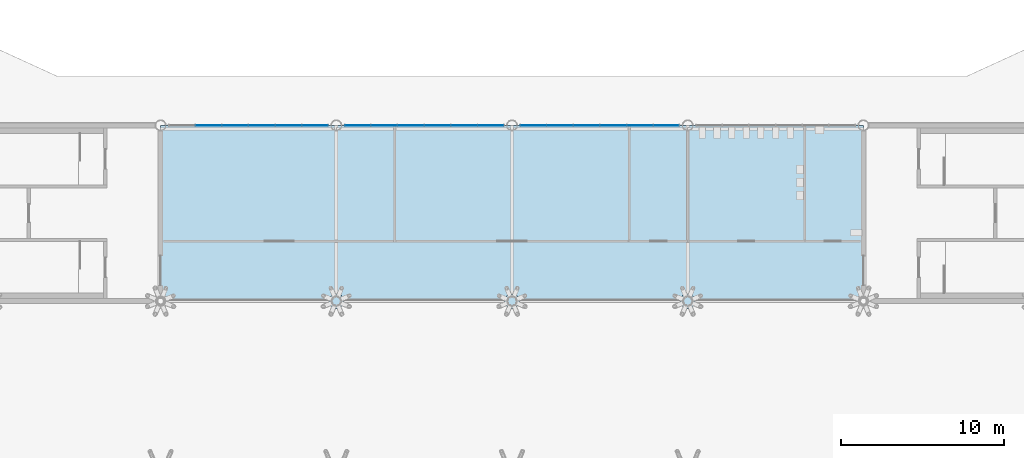
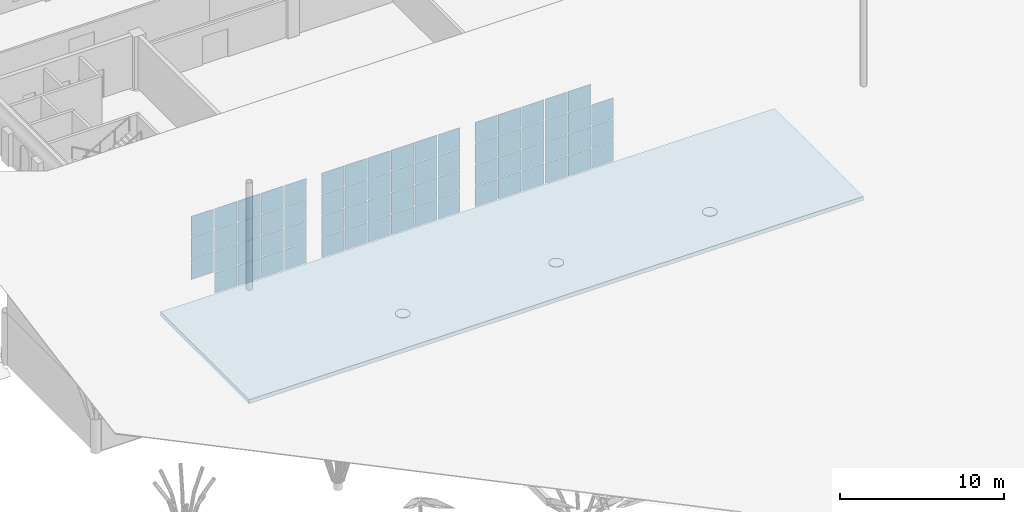
# One storey, part 30 of 56: 69 plates, 1 slab, 3 elements without a shape of their own.
"""IFC4 building model written with IfcOpenShell, lengths in metres."""

from ifc_helpers import new_model, si_unit, direction, frame, origin, origin_2d, place, context, subcontext, project, spatial, polyline, rectangle, circle, outline, extrude, material, layer, layer_set, material_profile, profile_set, type_object, element, aggregate, save


model = new_model("IFC4")

# Units and contexts
model_context = context("Model", 3, precision=1e-05, world=origin(), true_north=direction((0.0, 1.0)))
body_context = subcontext(model_context, "Body", "Model", "MODEL_VIEW")
ifc_project = project(units=[si_unit("LENGTHUNIT", "METRE"), si_unit("AREAUNIT", "SQUARE_METRE"), si_unit("VOLUMEUNIT", "CUBIC_METRE"), si_unit("PLANEANGLEUNIT", "RADIAN"), si_unit("MASSUNIT", "GRAM", prefix="KILO")], contexts=[model_context])

# Site, building, storey
site_placement = place(None, origin())
site = spatial("IfcSite", under=ifc_project, at=site_placement, CompositionType="ELEMENT")
building_placement = place(site_placement, origin())
building = spatial("IfcBuilding", under=site, at=building_placement, Name="Magnolia Steps Interchange", CompositionType="ELEMENT")
storey_placement = place(building_placement, frame((0.0, 0.0, 8.699951171875)))
storey = spatial("IfcBuildingStorey", under=building, at=storey_placement, Name="L02", CompositionType="ELEMENT", Elevation=8.699951171875)

# Slab
ifc_material_1 = material(Name="Concrete C40", Category="concrete")
ifc_layer_1 = layer(ifc_material_1, 0.300048828125)
ifc_layer_set_1 = layer_set([ifc_layer_1], Name="Floor slab 300")
slab_type = type_object("IfcSlabType", Name="Floor slab 300", PredefinedType="FLOOR", material=ifc_layer_set_1)
slab_placement = place(storey_placement, frame((0.0, 0.0, -0.300048828125)))
element("IfcSlab", 1, at=slab_placement, inside=storey, type_object=slab_type, Name="Hall upper gallery floor", PredefinedType="FLOOR", context=body_context, shape_type="SweptSolid", body=[
    extrude(outline(polyline([(107.199951171875, 74.800048828125), (107.199951171875, 85.60009765625), (64.0, 85.60009765625), (64.0, 74.800048828125), (107.199951171875, 74.800048828125)])), origin(), (0.0, 0.0, 1.0), 0.300048828125),
])

# Curtain wall, plates
ifc_material_2 = material(Name="Powder-coated aluminium and glass", Category="aluminium")
ifc_layer_2 = layer(ifc_material_2, 0.1201171875)
ifc_layer_set_2 = layer_set([ifc_layer_2], Name="Hall clerestory curtain wall")
curtain_wall_type = type_object("IfcCurtainWallType", Name="Hall clerestory curtain wall", PredefinedType="NOTDEFINED", material=ifc_layer_set_2)
curtain_wall_1_placement = place(storey_placement, origin())
curtain_wall_1 = element("IfcCurtainWall", 2, at=curtain_wall_1_placement, inside=storey, type_object=curtain_wall_type, Name="Hall clerestory N2", PredefinedType="NOTDEFINED")
ifc_material_3 = material(Name="Laminated glass", Category="glass")
ifc_layer_3 = layer(ifc_material_3, 0.028076171875)
ifc_layer_set_3 = layer_set([ifc_layer_3], Name="Glass panel 28")
plate_type_1 = type_object("IfcPlateType", Name="Glass panel 28", PredefinedType="CURTAIN_PANEL", material=ifc_layer_set_3)
plate_1_placement = place(storey_placement, frame((66.93994140625, 85.60009765625, 1.630126953125), z_axis=(0.0, 0.0, 1.0), x_axis=(1.0, 0.0, 0.0)))
plate_1 = element("IfcPlate", 3, at=plate_1_placement, type_object=plate_type_1, Name="CW6 panel 2.2", PredefinedType="CURTAIN_PANEL", context=body_context, shape_type="SweptSolid", body=[
    extrude(rectangle(XDim=1.580078125, YDim=0.028076171875, at=origin_2d()), origin(), (0.0, 0.0, 1.0), 1.5400390625),
])
plate_2_placement = place(storey_placement, frame((66.93994140625, 85.60009765625, 3.22998046875), z_axis=(0.0, 0.0, 1.0), x_axis=(1.0, 0.0, 0.0)))
plate_2 = element("IfcPlate", 4, at=plate_2_placement, type_object=plate_type_1, Name="CW6 panel 2.3", PredefinedType="CURTAIN_PANEL", context=body_context, shape_type="SweptSolid", body=[
    extrude(rectangle(XDim=1.580078125, YDim=0.028076171875, at=origin_2d()), origin(), (0.0, 0.0, 1.0), 1.5400390625),
])
plate_3_placement = place(storey_placement, frame((66.93994140625, 85.60009765625, 4.830078125), z_axis=(0.0, 0.0, 1.0), x_axis=(1.0, 0.0, 0.0)))
plate_3 = element("IfcPlate", 5, at=plate_3_placement, type_object=plate_type_1, Name="CW6 panel 2.4", PredefinedType="CURTAIN_PANEL", context=body_context, shape_type="SweptSolid", body=[
    extrude(rectangle(XDim=1.580078125, YDim=0.028076171875, at=origin_2d()), origin(), (0.0, 0.0, 1.0), 1.510009765625),
])
plate_4_placement = place(storey_placement, frame((68.580078125, 85.60009765625, 0.06005859375), z_axis=(0.0, 0.0, 1.0), x_axis=(1.0, 0.0, 0.0)))
plate_4 = element("IfcPlate", 6, at=plate_4_placement, type_object=plate_type_1, Name="CW6 panel 3.1", PredefinedType="CURTAIN_PANEL", context=body_context, shape_type="SweptSolid", body=[
    extrude(rectangle(XDim=1.580078125, YDim=0.028076171875, at=origin_2d()), origin(), (0.0, 0.0, 1.0), 1.510009765625),
])
plate_5_placement = place(storey_placement, frame((68.580078125, 85.60009765625, 1.630126953125), z_axis=(0.0, 0.0, 1.0), x_axis=(1.0, 0.0, 0.0)))
plate_5 = element("IfcPlate", 7, at=plate_5_placement, type_object=plate_type_1, Name="CW6 panel 3.2", PredefinedType="CURTAIN_PANEL", context=body_context, shape_type="SweptSolid", body=[
    extrude(rectangle(XDim=1.580078125, YDim=0.028076171875, at=origin_2d()), origin(), (0.0, 0.0, 1.0), 1.5400390625),
])
plate_6_placement = place(storey_placement, frame((68.580078125, 85.60009765625, 3.22998046875), z_axis=(0.0, 0.0, 1.0), x_axis=(1.0, 0.0, 0.0)))
plate_6 = element("IfcPlate", 8, at=plate_6_placement, type_object=plate_type_1, Name="CW6 panel 3.3", PredefinedType="CURTAIN_PANEL", context=body_context, shape_type="SweptSolid", body=[
    extrude(rectangle(XDim=1.580078125, YDim=0.028076171875, at=origin_2d()), origin(), (0.0, 0.0, 1.0), 1.5400390625),
])
plate_7_placement = place(storey_placement, frame((68.580078125, 85.60009765625, 4.830078125), z_axis=(0.0, 0.0, 1.0), x_axis=(1.0, 0.0, 0.0)))
plate_7 = element("IfcPlate", 9, at=plate_7_placement, type_object=plate_type_1, Name="CW6 panel 3.4", PredefinedType="CURTAIN_PANEL", context=body_context, shape_type="SweptSolid", body=[
    extrude(rectangle(XDim=1.580078125, YDim=0.028076171875, at=origin_2d()), origin(), (0.0, 0.0, 1.0), 1.510009765625),
])
plate_8_placement = place(storey_placement, frame((70.219970703125, 85.60009765625, 0.06005859375), z_axis=(0.0, 0.0, 1.0), x_axis=(1.0, 0.0, 0.0)))
plate_8 = element("IfcPlate", 10, at=plate_8_placement, type_object=plate_type_1, Name="CW6 panel 4.1", PredefinedType="CURTAIN_PANEL", context=body_context, shape_type="SweptSolid", body=[
    extrude(rectangle(XDim=1.580078125, YDim=0.028076171875, at=origin_2d()), origin(), (0.0, 0.0, 1.0), 1.510009765625),
])
plate_9_placement = place(storey_placement, frame((70.219970703125, 85.60009765625, 1.630126953125), z_axis=(0.0, 0.0, 1.0), x_axis=(1.0, 0.0, 0.0)))
plate_9 = element("IfcPlate", 11, at=plate_9_placement, type_object=plate_type_1, Name="CW6 panel 4.2", PredefinedType="CURTAIN_PANEL", context=body_context, shape_type="SweptSolid", body=[
    extrude(rectangle(XDim=1.580078125, YDim=0.028076171875, at=origin_2d()), origin(), (0.0, 0.0, 1.0), 1.5400390625),
])
plate_10_placement = place(storey_placement, frame((70.219970703125, 85.60009765625, 3.22998046875), z_axis=(0.0, 0.0, 1.0), x_axis=(1.0, 0.0, 0.0)))
plate_10 = element("IfcPlate", 12, at=plate_10_placement, type_object=plate_type_1, Name="CW6 panel 4.3", PredefinedType="CURTAIN_PANEL", context=body_context, shape_type="SweptSolid", body=[
    extrude(rectangle(XDim=1.580078125, YDim=0.028076171875, at=origin_2d()), origin(), (0.0, 0.0, 1.0), 1.5400390625),
])
plate_11_placement = place(storey_placement, frame((70.219970703125, 85.60009765625, 4.830078125), z_axis=(0.0, 0.0, 1.0), x_axis=(1.0, 0.0, 0.0)))
plate_11 = element("IfcPlate", 13, at=plate_11_placement, type_object=plate_type_1, Name="CW6 panel 4.4", PredefinedType="CURTAIN_PANEL", context=body_context, shape_type="SweptSolid", body=[
    extrude(rectangle(XDim=1.580078125, YDim=0.028076171875, at=origin_2d()), origin(), (0.0, 0.0, 1.0), 1.510009765625),
])
plate_12_placement = place(storey_placement, frame((71.860107421875, 85.60009765625, 0.06005859375), z_axis=(0.0, 0.0, 1.0), x_axis=(1.0, 0.0, 0.0)))
plate_12 = element("IfcPlate", 14, at=plate_12_placement, type_object=plate_type_1, Name="CW6 panel 5.1", PredefinedType="CURTAIN_PANEL", context=body_context, shape_type="SweptSolid", body=[
    extrude(rectangle(XDim=1.580078125, YDim=0.028076171875, at=origin_2d()), origin(), (0.0, 0.0, 1.0), 1.510009765625),
])
plate_13_placement = place(storey_placement, frame((71.860107421875, 85.60009765625, 1.630126953125), z_axis=(0.0, 0.0, 1.0), x_axis=(1.0, 0.0, 0.0)))
plate_13 = element("IfcPlate", 15, at=plate_13_placement, type_object=plate_type_1, Name="CW6 panel 5.2", PredefinedType="CURTAIN_PANEL", context=body_context, shape_type="SweptSolid", body=[
    extrude(rectangle(XDim=1.580078125, YDim=0.028076171875, at=origin_2d()), origin(), (0.0, 0.0, 1.0), 1.5400390625),
])
plate_14_placement = place(storey_placement, frame((71.860107421875, 85.60009765625, 3.22998046875), z_axis=(0.0, 0.0, 1.0), x_axis=(1.0, 0.0, 0.0)))
plate_14 = element("IfcPlate", 16, at=plate_14_placement, type_object=plate_type_1, Name="CW6 panel 5.3", PredefinedType="CURTAIN_PANEL", context=body_context, shape_type="SweptSolid", body=[
    extrude(rectangle(XDim=1.580078125, YDim=0.028076171875, at=origin_2d()), origin(), (0.0, 0.0, 1.0), 1.5400390625),
])
plate_15_placement = place(storey_placement, frame((71.860107421875, 85.60009765625, 4.830078125), z_axis=(0.0, 0.0, 1.0), x_axis=(1.0, 0.0, 0.0)))
plate_15 = element("IfcPlate", 17, at=plate_15_placement, type_object=plate_type_1, Name="CW6 panel 5.4", PredefinedType="CURTAIN_PANEL", context=body_context, shape_type="SweptSolid", body=[
    extrude(rectangle(XDim=1.580078125, YDim=0.028076171875, at=origin_2d()), origin(), (0.0, 0.0, 1.0), 1.510009765625),
])
plate_16_placement = place(storey_placement, frame((73.485107421875, 85.60009765625, 0.06005859375), z_axis=(0.0, 0.0, 1.0), x_axis=(1.0, 0.0, 0.0)))
plate_16 = element("IfcPlate", 18, at=plate_16_placement, type_object=plate_type_1, Name="CW6 panel 6.1", PredefinedType="CURTAIN_PANEL", context=body_context, shape_type="SweptSolid", body=[
    extrude(rectangle(XDim=1.550048828125, YDim=0.028076171875, at=origin_2d()), origin(), (0.0, 0.0, 1.0), 1.510009765625),
])
plate_17_placement = place(storey_placement, frame((73.485107421875, 85.60009765625, 1.630126953125), z_axis=(0.0, 0.0, 1.0), x_axis=(1.0, 0.0, 0.0)))
plate_17 = element("IfcPlate", 19, at=plate_17_placement, type_object=plate_type_1, Name="CW6 panel 6.2", PredefinedType="CURTAIN_PANEL", context=body_context, shape_type="SweptSolid", body=[
    extrude(rectangle(XDim=1.550048828125, YDim=0.028076171875, at=origin_2d()), origin(), (0.0, 0.0, 1.0), 1.5400390625),
])
plate_18_placement = place(storey_placement, frame((73.485107421875, 85.60009765625, 3.22998046875), z_axis=(0.0, 0.0, 1.0), x_axis=(1.0, 0.0, 0.0)))
plate_18 = element("IfcPlate", 20, at=plate_18_placement, type_object=plate_type_1, Name="CW6 panel 6.3", PredefinedType="CURTAIN_PANEL", context=body_context, shape_type="SweptSolid", body=[
    extrude(rectangle(XDim=1.550048828125, YDim=0.028076171875, at=origin_2d()), origin(), (0.0, 0.0, 1.0), 1.5400390625),
])
plate_19_placement = place(storey_placement, frame((73.485107421875, 85.60009765625, 4.830078125), z_axis=(0.0, 0.0, 1.0), x_axis=(1.0, 0.0, 0.0)))
plate_19 = element("IfcPlate", 21, at=plate_19_placement, type_object=plate_type_1, Name="CW6 panel 6.4", PredefinedType="CURTAIN_PANEL", context=body_context, shape_type="SweptSolid", body=[
    extrude(rectangle(XDim=1.550048828125, YDim=0.028076171875, at=origin_2d()), origin(), (0.0, 0.0, 1.0), 1.510009765625),
])
aggregate(curtain_wall_1, [plate_1, plate_2, plate_3, plate_4, plate_5, plate_6, plate_7, plate_8, plate_9, plate_10, plate_11, plate_12, plate_13, plate_14, plate_15, plate_16, plate_17, plate_18, plate_19])

curtain_wall_2_placement = place(storey_placement, origin())
curtain_wall_2 = element("IfcCurtainWall", 22, at=curtain_wall_2_placement, inside=storey, type_object=curtain_wall_type, Name="Hall clerestory N3", PredefinedType="NOTDEFINED")
plate_20_placement = place(storey_placement, frame((76.114990234375, 85.60009765625, 0.06005859375), z_axis=(0.0, 0.0, 1.0), x_axis=(1.0, 0.0, 0.0)))
plate_20 = element("IfcPlate", 23, at=plate_20_placement, type_object=plate_type_1, Name="CW6 panel 1.1", PredefinedType="CURTAIN_PANEL", context=body_context, shape_type="SweptSolid", body=[
    extrude(rectangle(XDim=1.550048828125, YDim=0.028076171875, at=origin_2d()), origin(), (0.0, 0.0, 1.0), 1.510009765625),
])
plate_21_placement = place(storey_placement, frame((76.114990234375, 85.60009765625, 1.630126953125), z_axis=(0.0, 0.0, 1.0), x_axis=(1.0, 0.0, 0.0)))
plate_21 = element("IfcPlate", 24, at=plate_21_placement, type_object=plate_type_1, Name="CW6 panel 1.2", PredefinedType="CURTAIN_PANEL", context=body_context, shape_type="SweptSolid", body=[
    extrude(rectangle(XDim=1.550048828125, YDim=0.028076171875, at=origin_2d()), origin(), (0.0, 0.0, 1.0), 1.5400390625),
])
plate_22_placement = place(storey_placement, frame((76.114990234375, 85.60009765625, 3.22998046875), z_axis=(0.0, 0.0, 1.0), x_axis=(1.0, 0.0, 0.0)))
plate_22 = element("IfcPlate", 25, at=plate_22_placement, type_object=plate_type_1, Name="CW6 panel 1.3", PredefinedType="CURTAIN_PANEL", context=body_context, shape_type="SweptSolid", body=[
    extrude(rectangle(XDim=1.550048828125, YDim=0.028076171875, at=origin_2d()), origin(), (0.0, 0.0, 1.0), 1.5400390625),
])
plate_23_placement = place(storey_placement, frame((76.114990234375, 85.60009765625, 4.830078125), z_axis=(0.0, 0.0, 1.0), x_axis=(1.0, 0.0, 0.0)))
plate_23 = element("IfcPlate", 26, at=plate_23_placement, type_object=plate_type_1, Name="CW6 panel 1.4", PredefinedType="CURTAIN_PANEL", context=body_context, shape_type="SweptSolid", body=[
    extrude(rectangle(XDim=1.550048828125, YDim=0.028076171875, at=origin_2d()), origin(), (0.0, 0.0, 1.0), 1.510009765625),
])
plate_24_placement = place(storey_placement, frame((77.739990234375, 85.60009765625, 0.06005859375), z_axis=(0.0, 0.0, 1.0), x_axis=(1.0, 0.0, 0.0)))
plate_24 = element("IfcPlate", 27, at=plate_24_placement, type_object=plate_type_1, Name="CW6 panel 2.1", PredefinedType="CURTAIN_PANEL", context=body_context, shape_type="SweptSolid", body=[
    extrude(rectangle(XDim=1.580078125, YDim=0.028076171875, at=origin_2d()), origin(), (0.0, 0.0, 1.0), 1.510009765625),
])
plate_25_placement = place(storey_placement, frame((77.739990234375, 85.60009765625, 1.630126953125), z_axis=(0.0, 0.0, 1.0), x_axis=(1.0, 0.0, 0.0)))
plate_25 = element("IfcPlate", 28, at=plate_25_placement, type_object=plate_type_1, Name="CW6 panel 2.2", PredefinedType="CURTAIN_PANEL", context=body_context, shape_type="SweptSolid", body=[
    extrude(rectangle(XDim=1.580078125, YDim=0.028076171875, at=origin_2d()), origin(), (0.0, 0.0, 1.0), 1.5400390625),
])
plate_26_placement = place(storey_placement, frame((77.739990234375, 85.60009765625, 3.22998046875), z_axis=(0.0, 0.0, 1.0), x_axis=(1.0, 0.0, 0.0)))
plate_26 = element("IfcPlate", 29, at=plate_26_placement, type_object=plate_type_1, Name="CW6 panel 2.3", PredefinedType="CURTAIN_PANEL", context=body_context, shape_type="SweptSolid", body=[
    extrude(rectangle(XDim=1.580078125, YDim=0.028076171875, at=origin_2d()), origin(), (0.0, 0.0, 1.0), 1.5400390625),
])
plate_27_placement = place(storey_placement, frame((77.739990234375, 85.60009765625, 4.830078125), z_axis=(0.0, 0.0, 1.0), x_axis=(1.0, 0.0, 0.0)))
plate_27 = element("IfcPlate", 30, at=plate_27_placement, type_object=plate_type_1, Name="CW6 panel 2.4", PredefinedType="CURTAIN_PANEL", context=body_context, shape_type="SweptSolid", body=[
    extrude(rectangle(XDim=1.580078125, YDim=0.028076171875, at=origin_2d()), origin(), (0.0, 0.0, 1.0), 1.510009765625),
])
plate_28_placement = place(storey_placement, frame((79.3798828125, 85.60009765625, 0.06005859375), z_axis=(0.0, 0.0, 1.0), x_axis=(1.0, 0.0, 0.0)))
plate_28 = element("IfcPlate", 31, at=plate_28_placement, type_object=plate_type_1, Name="CW6 panel 3.1", PredefinedType="CURTAIN_PANEL", context=body_context, shape_type="SweptSolid", body=[
    extrude(rectangle(XDim=1.580078125, YDim=0.028076171875, at=origin_2d()), origin(), (0.0, 0.0, 1.0), 1.510009765625),
])
plate_29_placement = place(storey_placement, frame((79.3798828125, 85.60009765625, 1.630126953125), z_axis=(0.0, 0.0, 1.0), x_axis=(1.0, 0.0, 0.0)))
plate_29 = element("IfcPlate", 32, at=plate_29_placement, type_object=plate_type_1, Name="CW6 panel 3.2", PredefinedType="CURTAIN_PANEL", context=body_context, shape_type="SweptSolid", body=[
    extrude(rectangle(XDim=1.580078125, YDim=0.028076171875, at=origin_2d()), origin(), (0.0, 0.0, 1.0), 1.5400390625),
])
plate_30_placement = place(storey_placement, frame((79.3798828125, 85.60009765625, 3.22998046875), z_axis=(0.0, 0.0, 1.0), x_axis=(1.0, 0.0, 0.0)))
plate_30 = element("IfcPlate", 33, at=plate_30_placement, type_object=plate_type_1, Name="CW6 panel 3.3", PredefinedType="CURTAIN_PANEL", context=body_context, shape_type="SweptSolid", body=[
    extrude(rectangle(XDim=1.580078125, YDim=0.028076171875, at=origin_2d()), origin(), (0.0, 0.0, 1.0), 1.5400390625),
])
plate_31_placement = place(storey_placement, frame((79.3798828125, 85.60009765625, 4.830078125), z_axis=(0.0, 0.0, 1.0), x_axis=(1.0, 0.0, 0.0)))
plate_31 = element("IfcPlate", 34, at=plate_31_placement, type_object=plate_type_1, Name="CW6 panel 3.4", PredefinedType="CURTAIN_PANEL", context=body_context, shape_type="SweptSolid", body=[
    extrude(rectangle(XDim=1.580078125, YDim=0.028076171875, at=origin_2d()), origin(), (0.0, 0.0, 1.0), 1.510009765625),
])
plate_32_placement = place(storey_placement, frame((81.02001953125, 85.60009765625, 0.06005859375), z_axis=(0.0, 0.0, 1.0), x_axis=(1.0, 0.0, 0.0)))
plate_32 = element("IfcPlate", 35, at=plate_32_placement, type_object=plate_type_1, Name="CW6 panel 4.1", PredefinedType="CURTAIN_PANEL", context=body_context, shape_type="SweptSolid", body=[
    extrude(rectangle(XDim=1.580078125, YDim=0.028076171875, at=origin_2d()), origin(), (0.0, 0.0, 1.0), 1.510009765625),
])
plate_33_placement = place(storey_placement, frame((81.02001953125, 85.60009765625, 1.630126953125), z_axis=(0.0, 0.0, 1.0), x_axis=(1.0, 0.0, 0.0)))
plate_33 = element("IfcPlate", 36, at=plate_33_placement, type_object=plate_type_1, Name="CW6 panel 4.2", PredefinedType="CURTAIN_PANEL", context=body_context, shape_type="SweptSolid", body=[
    extrude(rectangle(XDim=1.580078125, YDim=0.028076171875, at=origin_2d()), origin(), (0.0, 0.0, 1.0), 1.5400390625),
])
plate_34_placement = place(storey_placement, frame((81.02001953125, 85.60009765625, 3.22998046875), z_axis=(0.0, 0.0, 1.0), x_axis=(1.0, 0.0, 0.0)))
plate_34 = element("IfcPlate", 37, at=plate_34_placement, type_object=plate_type_1, Name="CW6 panel 4.3", PredefinedType="CURTAIN_PANEL", context=body_context, shape_type="SweptSolid", body=[
    extrude(rectangle(XDim=1.580078125, YDim=0.028076171875, at=origin_2d()), origin(), (0.0, 0.0, 1.0), 1.5400390625),
])
plate_35_placement = place(storey_placement, frame((81.02001953125, 85.60009765625, 4.830078125), z_axis=(0.0, 0.0, 1.0), x_axis=(1.0, 0.0, 0.0)))
plate_35 = element("IfcPlate", 38, at=plate_35_placement, type_object=plate_type_1, Name="CW6 panel 4.4", PredefinedType="CURTAIN_PANEL", context=body_context, shape_type="SweptSolid", body=[
    extrude(rectangle(XDim=1.580078125, YDim=0.028076171875, at=origin_2d()), origin(), (0.0, 0.0, 1.0), 1.510009765625),
])
plate_36_placement = place(storey_placement, frame((82.659912109375, 85.60009765625, 0.06005859375), z_axis=(0.0, 0.0, 1.0), x_axis=(1.0, 0.0, 0.0)))
plate_36 = element("IfcPlate", 39, at=plate_36_placement, type_object=plate_type_1, Name="CW6 panel 5.1", PredefinedType="CURTAIN_PANEL", context=body_context, shape_type="SweptSolid", body=[
    extrude(rectangle(XDim=1.580078125, YDim=0.028076171875, at=origin_2d()), origin(), (0.0, 0.0, 1.0), 1.510009765625),
])
plate_37_placement = place(storey_placement, frame((82.659912109375, 85.60009765625, 1.630126953125), z_axis=(0.0, 0.0, 1.0), x_axis=(1.0, 0.0, 0.0)))
plate_37 = element("IfcPlate", 40, at=plate_37_placement, type_object=plate_type_1, Name="CW6 panel 5.2", PredefinedType="CURTAIN_PANEL", context=body_context, shape_type="SweptSolid", body=[
    extrude(rectangle(XDim=1.580078125, YDim=0.028076171875, at=origin_2d()), origin(), (0.0, 0.0, 1.0), 1.5400390625),
])
plate_38_placement = place(storey_placement, frame((82.659912109375, 85.60009765625, 3.22998046875), z_axis=(0.0, 0.0, 1.0), x_axis=(1.0, 0.0, 0.0)))
plate_38 = element("IfcPlate", 41, at=plate_38_placement, type_object=plate_type_1, Name="CW6 panel 5.3", PredefinedType="CURTAIN_PANEL", context=body_context, shape_type="SweptSolid", body=[
    extrude(rectangle(XDim=1.580078125, YDim=0.028076171875, at=origin_2d()), origin(), (0.0, 0.0, 1.0), 1.5400390625),
])
plate_39_placement = place(storey_placement, frame((82.659912109375, 85.60009765625, 4.830078125), z_axis=(0.0, 0.0, 1.0), x_axis=(1.0, 0.0, 0.0)))
plate_39 = element("IfcPlate", 42, at=plate_39_placement, type_object=plate_type_1, Name="CW6 panel 5.4", PredefinedType="CURTAIN_PANEL", context=body_context, shape_type="SweptSolid", body=[
    extrude(rectangle(XDim=1.580078125, YDim=0.028076171875, at=origin_2d()), origin(), (0.0, 0.0, 1.0), 1.510009765625),
])
plate_40_placement = place(storey_placement, frame((84.284912109375, 85.60009765625, 0.06005859375), z_axis=(0.0, 0.0, 1.0), x_axis=(1.0, 0.0, 0.0)))
plate_40 = element("IfcPlate", 43, at=plate_40_placement, type_object=plate_type_1, Name="CW6 panel 6.1", PredefinedType="CURTAIN_PANEL", context=body_context, shape_type="SweptSolid", body=[
    extrude(rectangle(XDim=1.550048828125, YDim=0.028076171875, at=origin_2d()), origin(), (0.0, 0.0, 1.0), 1.510009765625),
])
plate_41_placement = place(storey_placement, frame((84.284912109375, 85.60009765625, 1.630126953125), z_axis=(0.0, 0.0, 1.0), x_axis=(1.0, 0.0, 0.0)))
plate_41 = element("IfcPlate", 44, at=plate_41_placement, type_object=plate_type_1, Name="CW6 panel 6.2", PredefinedType="CURTAIN_PANEL", context=body_context, shape_type="SweptSolid", body=[
    extrude(rectangle(XDim=1.550048828125, YDim=0.028076171875, at=origin_2d()), origin(), (0.0, 0.0, 1.0), 1.5400390625),
])
plate_42_placement = place(storey_placement, frame((84.284912109375, 85.60009765625, 3.22998046875), z_axis=(0.0, 0.0, 1.0), x_axis=(1.0, 0.0, 0.0)))
plate_42 = element("IfcPlate", 45, at=plate_42_placement, type_object=plate_type_1, Name="CW6 panel 6.3", PredefinedType="CURTAIN_PANEL", context=body_context, shape_type="SweptSolid", body=[
    extrude(rectangle(XDim=1.550048828125, YDim=0.028076171875, at=origin_2d()), origin(), (0.0, 0.0, 1.0), 1.5400390625),
])
plate_43_placement = place(storey_placement, frame((84.284912109375, 85.60009765625, 4.830078125), z_axis=(0.0, 0.0, 1.0), x_axis=(1.0, 0.0, 0.0)))
plate_43 = element("IfcPlate", 46, at=plate_43_placement, type_object=plate_type_1, Name="CW6 panel 6.4", PredefinedType="CURTAIN_PANEL", context=body_context, shape_type="SweptSolid", body=[
    extrude(rectangle(XDim=1.550048828125, YDim=0.028076171875, at=origin_2d()), origin(), (0.0, 0.0, 1.0), 1.510009765625),
])
aggregate(curtain_wall_2, [plate_20, plate_21, plate_22, plate_23, plate_24, plate_25, plate_26, plate_27, plate_28, plate_29, plate_30, plate_31, plate_32, plate_33, plate_34, plate_35, plate_36, plate_37, plate_38, plate_39, plate_40, plate_41, plate_42, plate_43])

curtain_wall_3_placement = place(storey_placement, origin())
curtain_wall_3 = element("IfcCurtainWall", 47, at=curtain_wall_3_placement, inside=storey, type_object=curtain_wall_type, Name="Hall clerestory N4", PredefinedType="NOTDEFINED")
plate_44_placement = place(storey_placement, frame((86.9150390625, 85.60009765625, 0.06005859375), z_axis=(0.0, 0.0, 1.0), x_axis=(1.0, 0.0, 0.0)))
plate_44 = element("IfcPlate", 48, at=plate_44_placement, type_object=plate_type_1, Name="CW6 panel 1.1", PredefinedType="CURTAIN_PANEL", context=body_context, shape_type="SweptSolid", body=[
    extrude(rectangle(XDim=1.550048828125, YDim=0.028076171875, at=origin_2d()), origin(), (0.0, 0.0, 1.0), 1.510009765625),
])
plate_45_placement = place(storey_placement, frame((86.9150390625, 85.60009765625, 1.630126953125), z_axis=(0.0, 0.0, 1.0), x_axis=(1.0, 0.0, 0.0)))
plate_45 = element("IfcPlate", 49, at=plate_45_placement, type_object=plate_type_1, Name="CW6 panel 1.2", PredefinedType="CURTAIN_PANEL", context=body_context, shape_type="SweptSolid", body=[
    extrude(rectangle(XDim=1.550048828125, YDim=0.028076171875, at=origin_2d()), origin(), (0.0, 0.0, 1.0), 1.5400390625),
])
plate_46_placement = place(storey_placement, frame((86.9150390625, 85.60009765625, 3.22998046875), z_axis=(0.0, 0.0, 1.0), x_axis=(1.0, 0.0, 0.0)))
plate_46 = element("IfcPlate", 50, at=plate_46_placement, type_object=plate_type_1, Name="CW6 panel 1.3", PredefinedType="CURTAIN_PANEL", context=body_context, shape_type="SweptSolid", body=[
    extrude(rectangle(XDim=1.550048828125, YDim=0.028076171875, at=origin_2d()), origin(), (0.0, 0.0, 1.0), 1.5400390625),
])
plate_47_placement = place(storey_placement, frame((86.9150390625, 85.60009765625, 4.830078125), z_axis=(0.0, 0.0, 1.0), x_axis=(1.0, 0.0, 0.0)))
plate_47 = element("IfcPlate", 51, at=plate_47_placement, type_object=plate_type_1, Name="CW6 panel 1.4", PredefinedType="CURTAIN_PANEL", context=body_context, shape_type="SweptSolid", body=[
    extrude(rectangle(XDim=1.550048828125, YDim=0.028076171875, at=origin_2d()), origin(), (0.0, 0.0, 1.0), 1.510009765625),
])
plate_48_placement = place(storey_placement, frame((88.5400390625, 85.60009765625, 0.06005859375), z_axis=(0.0, 0.0, 1.0), x_axis=(1.0, 0.0, 0.0)))
plate_48 = element("IfcPlate", 52, at=plate_48_placement, type_object=plate_type_1, Name="CW6 panel 2.1", PredefinedType="CURTAIN_PANEL", context=body_context, shape_type="SweptSolid", body=[
    extrude(rectangle(XDim=1.580078125, YDim=0.028076171875, at=origin_2d()), origin(), (0.0, 0.0, 1.0), 1.510009765625),
])
plate_49_placement = place(storey_placement, frame((88.5400390625, 85.60009765625, 1.630126953125), z_axis=(0.0, 0.0, 1.0), x_axis=(1.0, 0.0, 0.0)))
plate_49 = element("IfcPlate", 53, at=plate_49_placement, type_object=plate_type_1, Name="CW6 panel 2.2", PredefinedType="CURTAIN_PANEL", context=body_context, shape_type="SweptSolid", body=[
    extrude(rectangle(XDim=1.580078125, YDim=0.028076171875, at=origin_2d()), origin(), (0.0, 0.0, 1.0), 1.5400390625),
])
plate_50_placement = place(storey_placement, frame((88.5400390625, 85.60009765625, 3.22998046875), z_axis=(0.0, 0.0, 1.0), x_axis=(1.0, 0.0, 0.0)))
plate_50 = element("IfcPlate", 54, at=plate_50_placement, type_object=plate_type_1, Name="CW6 panel 2.3", PredefinedType="CURTAIN_PANEL", context=body_context, shape_type="SweptSolid", body=[
    extrude(rectangle(XDim=1.580078125, YDim=0.028076171875, at=origin_2d()), origin(), (0.0, 0.0, 1.0), 1.5400390625),
])
plate_51_placement = place(storey_placement, frame((88.5400390625, 85.60009765625, 4.830078125), z_axis=(0.0, 0.0, 1.0), x_axis=(1.0, 0.0, 0.0)))
plate_51 = element("IfcPlate", 55, at=plate_51_placement, type_object=plate_type_1, Name="CW6 panel 2.4", PredefinedType="CURTAIN_PANEL", context=body_context, shape_type="SweptSolid", body=[
    extrude(rectangle(XDim=1.580078125, YDim=0.028076171875, at=origin_2d()), origin(), (0.0, 0.0, 1.0), 1.510009765625),
])
plate_52_placement = place(storey_placement, frame((90.179931640625, 85.60009765625, 0.06005859375), z_axis=(0.0, 0.0, 1.0), x_axis=(1.0, 0.0, 0.0)))
plate_52 = element("IfcPlate", 56, at=plate_52_placement, type_object=plate_type_1, Name="CW6 panel 3.1", PredefinedType="CURTAIN_PANEL", context=body_context, shape_type="SweptSolid", body=[
    extrude(rectangle(XDim=1.580078125, YDim=0.028076171875, at=origin_2d()), origin(), (0.0, 0.0, 1.0), 1.510009765625),
])
plate_53_placement = place(storey_placement, frame((90.179931640625, 85.60009765625, 1.630126953125), z_axis=(0.0, 0.0, 1.0), x_axis=(1.0, 0.0, 0.0)))
plate_53 = element("IfcPlate", 57, at=plate_53_placement, type_object=plate_type_1, Name="CW6 panel 3.2", PredefinedType="CURTAIN_PANEL", context=body_context, shape_type="SweptSolid", body=[
    extrude(rectangle(XDim=1.580078125, YDim=0.028076171875, at=origin_2d()), origin(), (0.0, 0.0, 1.0), 1.5400390625),
])
plate_54_placement = place(storey_placement, frame((90.179931640625, 85.60009765625, 3.22998046875), z_axis=(0.0, 0.0, 1.0), x_axis=(1.0, 0.0, 0.0)))
plate_54 = element("IfcPlate", 58, at=plate_54_placement, type_object=plate_type_1, Name="CW6 panel 3.3", PredefinedType="CURTAIN_PANEL", context=body_context, shape_type="SweptSolid", body=[
    extrude(rectangle(XDim=1.580078125, YDim=0.028076171875, at=origin_2d()), origin(), (0.0, 0.0, 1.0), 1.5400390625),
])
plate_55_placement = place(storey_placement, frame((90.179931640625, 85.60009765625, 4.830078125), z_axis=(0.0, 0.0, 1.0), x_axis=(1.0, 0.0, 0.0)))
plate_55 = element("IfcPlate", 59, at=plate_55_placement, type_object=plate_type_1, Name="CW6 panel 3.4", PredefinedType="CURTAIN_PANEL", context=body_context, shape_type="SweptSolid", body=[
    extrude(rectangle(XDim=1.580078125, YDim=0.028076171875, at=origin_2d()), origin(), (0.0, 0.0, 1.0), 1.510009765625),
])
plate_56_placement = place(storey_placement, frame((91.820068359375, 85.60009765625, 0.06005859375), z_axis=(0.0, 0.0, 1.0), x_axis=(1.0, 0.0, 0.0)))
plate_56 = element("IfcPlate", 60, at=plate_56_placement, type_object=plate_type_1, Name="CW6 panel 4.1", PredefinedType="CURTAIN_PANEL", context=body_context, shape_type="SweptSolid", body=[
    extrude(rectangle(XDim=1.580078125, YDim=0.028076171875, at=origin_2d()), origin(), (0.0, 0.0, 1.0), 1.510009765625),
])
plate_57_placement = place(storey_placement, frame((91.820068359375, 85.60009765625, 1.630126953125), z_axis=(0.0, 0.0, 1.0), x_axis=(1.0, 0.0, 0.0)))
plate_57 = element("IfcPlate", 61, at=plate_57_placement, type_object=plate_type_1, Name="CW6 panel 4.2", PredefinedType="CURTAIN_PANEL", context=body_context, shape_type="SweptSolid", body=[
    extrude(rectangle(XDim=1.580078125, YDim=0.028076171875, at=origin_2d()), origin(), (0.0, 0.0, 1.0), 1.5400390625),
])
plate_58_placement = place(storey_placement, frame((91.820068359375, 85.60009765625, 3.22998046875), z_axis=(0.0, 0.0, 1.0), x_axis=(1.0, 0.0, 0.0)))
plate_58 = element("IfcPlate", 62, at=plate_58_placement, type_object=plate_type_1, Name="CW6 panel 4.3", PredefinedType="CURTAIN_PANEL", context=body_context, shape_type="SweptSolid", body=[
    extrude(rectangle(XDim=1.580078125, YDim=0.028076171875, at=origin_2d()), origin(), (0.0, 0.0, 1.0), 1.5400390625),
])
plate_59_placement = place(storey_placement, frame((91.820068359375, 85.60009765625, 4.830078125), z_axis=(0.0, 0.0, 1.0), x_axis=(1.0, 0.0, 0.0)))
plate_59 = element("IfcPlate", 63, at=plate_59_placement, type_object=plate_type_1, Name="CW6 panel 4.4", PredefinedType="CURTAIN_PANEL", context=body_context, shape_type="SweptSolid", body=[
    extrude(rectangle(XDim=1.580078125, YDim=0.028076171875, at=origin_2d()), origin(), (0.0, 0.0, 1.0), 1.510009765625),
])
plate_60_placement = place(storey_placement, frame((93.4599609375, 85.60009765625, 0.06005859375), z_axis=(0.0, 0.0, 1.0), x_axis=(1.0, 0.0, 0.0)))
plate_60 = element("IfcPlate", 64, at=plate_60_placement, type_object=plate_type_1, Name="CW6 panel 5.1", PredefinedType="CURTAIN_PANEL", context=body_context, shape_type="SweptSolid", body=[
    extrude(rectangle(XDim=1.580078125, YDim=0.028076171875, at=origin_2d()), origin(), (0.0, 0.0, 1.0), 1.510009765625),
])
plate_61_placement = place(storey_placement, frame((93.4599609375, 85.60009765625, 1.630126953125), z_axis=(0.0, 0.0, 1.0), x_axis=(1.0, 0.0, 0.0)))
plate_61 = element("IfcPlate", 65, at=plate_61_placement, type_object=plate_type_1, Name="CW6 panel 5.2", PredefinedType="CURTAIN_PANEL", context=body_context, shape_type="SweptSolid", body=[
    extrude(rectangle(XDim=1.580078125, YDim=0.028076171875, at=origin_2d()), origin(), (0.0, 0.0, 1.0), 1.5400390625),
])
plate_62_placement = place(storey_placement, frame((93.4599609375, 85.60009765625, 3.22998046875), z_axis=(0.0, 0.0, 1.0), x_axis=(1.0, 0.0, 0.0)))
plate_62 = element("IfcPlate", 66, at=plate_62_placement, type_object=plate_type_1, Name="CW6 panel 5.3", PredefinedType="CURTAIN_PANEL", context=body_context, shape_type="SweptSolid", body=[
    extrude(rectangle(XDim=1.580078125, YDim=0.028076171875, at=origin_2d()), origin(), (0.0, 0.0, 1.0), 1.5400390625),
])
plate_63_placement = place(storey_placement, frame((93.4599609375, 85.60009765625, 4.830078125), z_axis=(0.0, 0.0, 1.0), x_axis=(1.0, 0.0, 0.0)))
plate_63 = element("IfcPlate", 67, at=plate_63_placement, type_object=plate_type_1, Name="CW6 panel 5.4", PredefinedType="CURTAIN_PANEL", context=body_context, shape_type="SweptSolid", body=[
    extrude(rectangle(XDim=1.580078125, YDim=0.028076171875, at=origin_2d()), origin(), (0.0, 0.0, 1.0), 1.510009765625),
])
plate_64_placement = place(storey_placement, frame((95.0849609375, 85.60009765625, 0.06005859375), z_axis=(0.0, 0.0, 1.0), x_axis=(1.0, 0.0, 0.0)))
plate_64 = element("IfcPlate", 68, at=plate_64_placement, type_object=plate_type_1, Name="CW6 panel 6.1", PredefinedType="CURTAIN_PANEL", context=body_context, shape_type="SweptSolid", body=[
    extrude(rectangle(XDim=1.550048828125, YDim=0.028076171875, at=origin_2d()), origin(), (0.0, 0.0, 1.0), 1.510009765625),
])
plate_65_placement = place(storey_placement, frame((95.0849609375, 85.60009765625, 1.630126953125), z_axis=(0.0, 0.0, 1.0), x_axis=(1.0, 0.0, 0.0)))
plate_65 = element("IfcPlate", 69, at=plate_65_placement, type_object=plate_type_1, Name="CW6 panel 6.2", PredefinedType="CURTAIN_PANEL", context=body_context, shape_type="SweptSolid", body=[
    extrude(rectangle(XDim=1.550048828125, YDim=0.028076171875, at=origin_2d()), origin(), (0.0, 0.0, 1.0), 1.5400390625),
])
plate_66_placement = place(storey_placement, frame((95.0849609375, 85.60009765625, 3.22998046875), z_axis=(0.0, 0.0, 1.0), x_axis=(1.0, 0.0, 0.0)))
plate_66 = element("IfcPlate", 70, at=plate_66_placement, type_object=plate_type_1, Name="CW6 panel 6.3", PredefinedType="CURTAIN_PANEL", context=body_context, shape_type="SweptSolid", body=[
    extrude(rectangle(XDim=1.550048828125, YDim=0.028076171875, at=origin_2d()), origin(), (0.0, 0.0, 1.0), 1.5400390625),
])
aggregate(curtain_wall_3, [plate_44, plate_45, plate_46, plate_47, plate_48, plate_49, plate_50, plate_51, plate_52, plate_53, plate_54, plate_55, plate_56, plate_57, plate_58, plate_59, plate_60, plate_61, plate_62, plate_63, plate_64, plate_65, plate_66])

# Plates
ifc_material_4 = material(Name="Steel Q355B", Category="steel")
ifc_material_profile = material_profile(ifc_material_4, circle(Radius=0.449951171875, at=origin_2d()), Name="Tree head plate 900 x 30")
ifc_profile_set = profile_set([ifc_material_profile], Name="Steel Q355B")
plate_type_2 = type_object("IfcPlateType", Name="Tree head plate 900 x 30", PredefinedType="SHEET", material=ifc_profile_set)
for number, where, z_axis, x_axis, name in (
    (71, (74.800048828125, 74.800048828125, 2.61572265625), (0.0, 0.0, 1.0), (1.0, 0.0, 0.0), "Tree head plate TH03D"),
    (72, (85.60009765625, 74.800048828125, 2.61572265625), (0.0, 0.0, 1.0), (1.0, 0.0, 0.0), "Tree head plate TH04D"),
    (73, (96.39990234375, 74.800048828125, 2.61572265625), (0.0, 0.0, 1.0), (1.0, 0.0, 0.0), "Tree head plate TH05D"),
):
    element("IfcPlate", number, at=place(storey_placement, frame(where, z_axis=z_axis, x_axis=x_axis)), inside=storey, type_object=plate_type_2, Name=name, PredefinedType="SHEET", context=body_context, shape_type="SweptSolid", body=[
        extrude(circle(Radius=0.449951171875, at=origin_2d()), origin(), (0.0, 0.0, 1.0), 0.030029296875),
    ])

save(model, "model.ifc")
